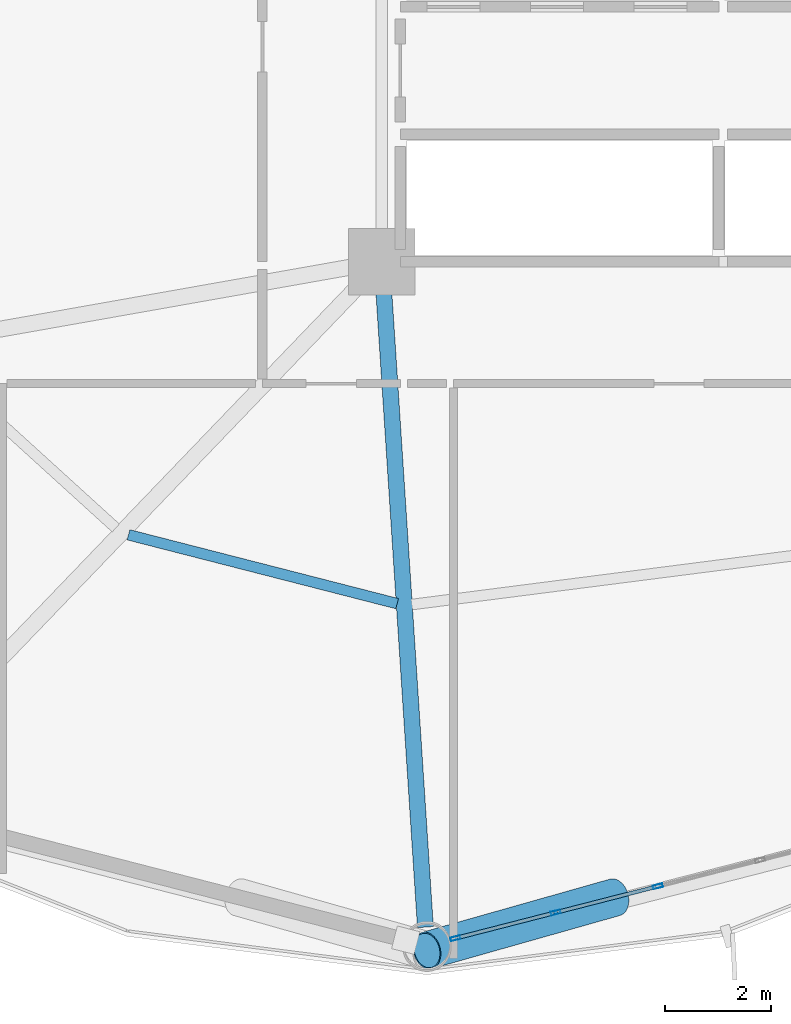
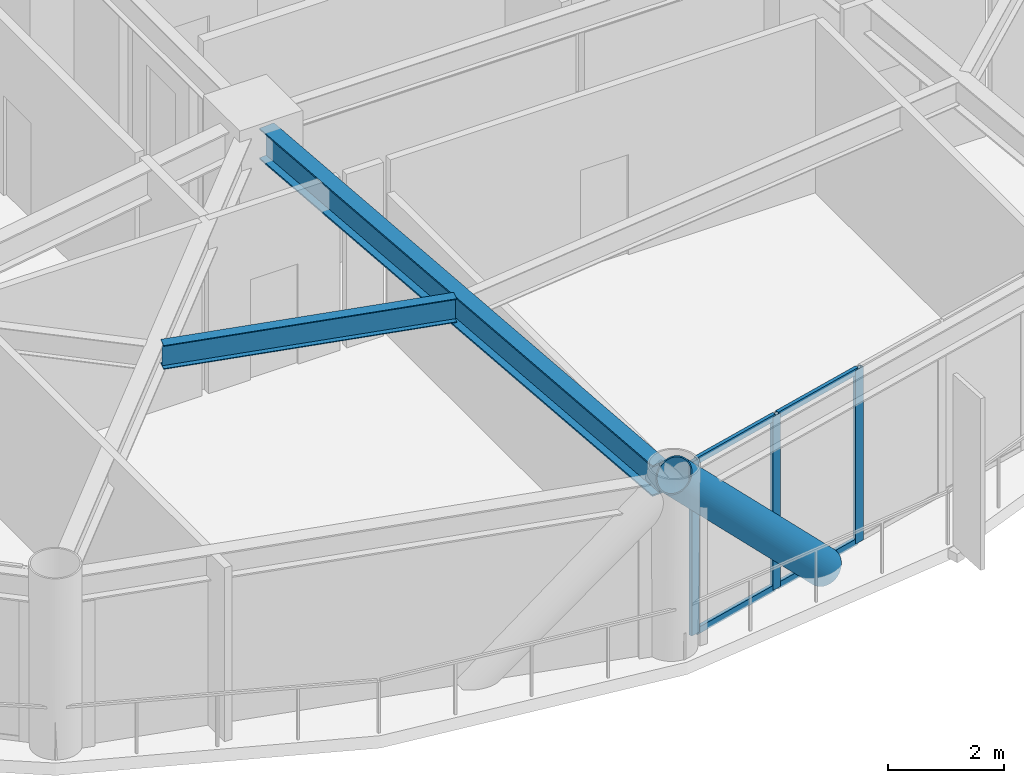
# One storey, part 6 of 25: 8 members, 2 beams, 1 element without a shape of its own.
"""IFC4 building model written with IfcOpenShell, lengths in metres."""

from ifc_helpers import new_model, si_unit, direction, frame, origin, origin_2d, place, context, subcontext, project, spatial, hollow_rectangle, hollow_circle, i_section, extrude, material, layer, layer_set, material_profile, profile_set, type_object, element, aggregate, save


model = new_model("IFC4")

# Units and contexts
model_context = context("Model", 3, precision=1e-05, world=origin(), true_north=direction((0.0, 1.0)))
body_context = subcontext(model_context, "Body", "Model", "MODEL_VIEW")
ifc_project = project(units=[si_unit("LENGTHUNIT", "METRE"), si_unit("AREAUNIT", "SQUARE_METRE"), si_unit("VOLUMEUNIT", "CUBIC_METRE"), si_unit("PLANEANGLEUNIT", "RADIAN"), si_unit("MASSUNIT", "GRAM", prefix="KILO")], contexts=[model_context])

# Site, building, storey
site_placement = place(None, origin())
site = spatial("IfcSite", under=ifc_project, at=site_placement, CompositionType="ELEMENT")
building_placement = place(site_placement, origin())
building = spatial("IfcBuilding", under=site, at=building_placement, Name="Varnakorn Sky Granary", CompositionType="ELEMENT")
storey_placement = place(building_placement, frame((0.0, 0.0, 58.800048828125)))
storey = spatial("IfcBuildingStorey", under=building, at=storey_placement, Name="L14", CompositionType="ELEMENT", Elevation=58.800048828125)

# Beams
ifc_material_1 = material(Name="Steel S355JR", Category="steel")
ifc_material_profile_1 = material_profile(ifc_material_1, i_section(OverallWidth=0.300048828125, OverallDepth=0.64990234375, WebThickness=0.01611328125, FlangeThickness=0.031005859375, at=origin_2d()), Name="HE 650 B")
ifc_profile_set_1 = profile_set([ifc_material_profile_1], Name="Steel S355JR")
beam_type_1 = type_object("IfcBeamType", Name="BM-RAD-Z1", PredefinedType="BEAM", material=ifc_profile_set_1)
beam_1_placement = place(storey_placement, frame((-2.322509765625, -7.01904296875, 3.31494140625), z_axis=(0.065331880635, -0.997863590564, 0.0), x_axis=(0.997863590564, 0.065331880635, 0.0)))
element("IfcBeam", 1, at=beam_1_placement, inside=storey, type_object=beam_type_1, Name="Radial Floor Girder RG10 L14", PredefinedType="BEAM", context=body_context, shape_type="SweptSolid", body=[
    extrude(i_section(OverallWidth=0.300048828125, OverallDepth=0.64990234375, WebThickness=0.01611328125, FlangeThickness=0.031005859375, at=origin_2d()), origin(), (0.0, 0.0, 1.0), 12.148681640625),
])
ifc_material_profile_2 = material_profile(ifc_material_1, i_section(OverallWidth=0.199951171875, OverallDepth=0.5, WebThickness=0.01025390625, FlangeThickness=0.01611328125, at=origin_2d()), Name="IPE 500")
ifc_profile_set_2 = profile_set([ifc_material_profile_2], Name="Steel S355JR")
beam_type_2 = type_object("IfcBeamType", Name="BM-SEC-Z1", PredefinedType="BEAM", material=ifc_profile_set_2)
beam_2_placement = place(storey_placement, frame((-7.12451171875, -11.748046875, 3.389892578125), z_axis=(0.968694114413, -0.248257351758, 0.0), x_axis=(0.248257351758, 0.968694114413, 0.0)))
element("IfcBeam", 2, at=beam_2_placement, inside=storey, type_object=beam_type_2, Name="Secondary Floor Chord Beam MSB09 L14", PredefinedType="BEAM", context=body_context, shape_type="SweptSolid", body=[
    extrude(i_section(OverallWidth=0.199951171875, OverallDepth=0.5, WebThickness=0.01025390625, FlangeThickness=0.01611328125, at=origin_2d()), origin(), (0.0, 0.0, 1.0), 5.226806640625),
])

# Curtain wall, members
ifc_material_2 = material(Name="Anodised Bronze Aluminium Alloy 6063-T6", Category="aluminium")
ifc_layer = layer(ifc_material_2, 0.18994140625, Name="Anodised Bronze Aluminium Alloy 6063-T6")
ifc_layer_set = layer_set([ifc_layer], Name="Anodised Bronze Aluminium Alloy 6063-T6")
curtain_wall_type = type_object("IfcCurtainWallType", Name="CW-FRM-1", PredefinedType="USERDEFINED", material=ifc_layer_set)
curtain_wall_placement = place(storey_placement, origin())
curtain_wall = element("IfcCurtainWall", 3, at=curtain_wall_placement, inside=storey, type_object=curtain_wall_type, Name="Unitised Curtain Wall CW3 CW-L14-B10", ObjectType="CURTAIN WALL", PredefinedType="USERDEFINED")
ifc_material_profile_3 = material_profile(ifc_material_2, hollow_rectangle(XDim=0.070068359375, YDim=0.18505859375, WallThickness=0.00390625, at=origin_2d()), Name="ALU MULL 70x185")
ifc_profile_set_3 = profile_set([ifc_material_profile_3], Name="Anodised Bronze Aluminium Alloy 6063-T6")
member_type_1 = type_object("IfcMemberType", Name="CW-FRM-1-MULL", PredefinedType="MULLION", material=ifc_profile_set_3)
member_1_placement = place(storey_placement, frame((2.850830078125, -18.373046875, 0.0), z_axis=(0.0, 0.0, 1.0), x_axis=(0.248656438193, -0.968591748749, 0.0)))
member_1 = element("IfcMember", 4, at=member_1_placement, type_object=member_type_1, Name="CW3 mullion 4", PredefinedType="MULLION", context=body_context, shape_type="SweptSolid", body=[
    extrude(hollow_rectangle(XDim=0.070068359375, YDim=0.18505859375, WallThickness=0.00390625, at=origin_2d()), origin(), (0.0, 0.0, 1.0), 3.639892578125),
])
member_2_placement = place(storey_placement, frame((0.92578125, -18.8671875, 0.0), z_axis=(0.0, 0.0, 1.0), x_axis=(0.248656438193, -0.968591748749, 0.0)))
member_2 = element("IfcMember", 5, at=member_2_placement, type_object=member_type_1, Name="CW3 mullion 5", PredefinedType="MULLION", context=body_context, shape_type="SweptSolid", body=[
    extrude(hollow_rectangle(XDim=0.070068359375, YDim=0.18505859375, WallThickness=0.00390625, at=origin_2d()), origin(), (0.0, 0.0, 1.0), 3.639892578125),
])
member_3_placement = place(storey_placement, frame((-0.96533203125, -19.352783203125, 0.0), z_axis=(0.0, 0.0, 1.0), x_axis=(0.248656438193, -0.968591748749, 0.0)))
member_3 = element("IfcMember", 6, at=member_3_placement, type_object=member_type_1, Name="CW3 mullion 6", PredefinedType="MULLION", context=body_context, shape_type="SweptSolid", body=[
    extrude(hollow_rectangle(XDim=0.070068359375, YDim=0.18505859375, WallThickness=0.00390625, at=origin_2d()), origin(), (0.0, 0.0, 1.0), 3.639892578125),
])
ifc_material_profile_4 = material_profile(ifc_material_2, hollow_rectangle(XDim=0.070068359375, YDim=0.139892578125, WallThickness=0.00341796875, at=origin_2d()), Name="ALU TRAN 70x140")
ifc_profile_set_4 = profile_set([ifc_material_profile_4], Name="Anodised Bronze Aluminium Alloy 6063-T6")
member_type_2 = type_object("IfcMemberType", Name="CW-FRM-1-TRAN", PredefinedType="USERDEFINED", material=ifc_profile_set_4)
member_4_placement = place(storey_placement, frame((2.81689453125, -18.3818359375, 0.034912109375), z_axis=(-0.968618289694, -0.248553030299, 0.0), x_axis=(0.248553030299, -0.968618289694, 0.0)))
member_4 = element("IfcMember", 7, at=member_4_placement, type_object=member_type_2, Name="CW3 transom 4.1", ObjectType="TRANSOM", PredefinedType="USERDEFINED", context=body_context, shape_type="SweptSolid", body=[
    extrude(hollow_rectangle(XDim=0.070068359375, YDim=0.139892578125, WallThickness=0.00341796875, at=origin_2d()), origin(), (0.0, 0.0, 1.0), 1.917236328125),
])
member_5_placement = place(storey_placement, frame((2.81689453125, -18.3818359375, 3.60498046875), z_axis=(-0.968618289694, -0.248553030299, 0.0), x_axis=(0.248553030299, -0.968618289694, 0.0)))
member_5 = element("IfcMember", 8, at=member_5_placement, type_object=member_type_2, Name="CW3 transom 4.2", ObjectType="TRANSOM", PredefinedType="USERDEFINED", context=body_context, shape_type="SweptSolid", body=[
    extrude(hollow_rectangle(XDim=0.070068359375, YDim=0.139892578125, WallThickness=0.00341796875, at=origin_2d()), origin(), (0.0, 0.0, 1.0), 1.917236328125),
])
member_6_placement = place(storey_placement, frame((0.891845703125, -18.8759765625, 0.034912109375), z_axis=(-0.968597421327, -0.248634340745, 0.0), x_axis=(0.248634340745, -0.968597421327, 0.0)))
member_6 = element("IfcMember", 9, at=member_6_placement, type_object=member_type_2, Name="CW3 transom 5.1", ObjectType="TRANSOM", PredefinedType="USERDEFINED", context=body_context, shape_type="SweptSolid", body=[
    extrude(hollow_rectangle(XDim=0.070068359375, YDim=0.139892578125, WallThickness=0.00341796875, at=origin_2d()), origin(), (0.0, 0.0, 1.0), 1.88232421875),
])
member_7_placement = place(storey_placement, frame((0.891845703125, -18.8759765625, 3.60498046875), z_axis=(-0.968597421327, -0.248634340745, 0.0), x_axis=(0.248634340745, -0.968597421327, 0.0)))
member_7 = element("IfcMember", 10, at=member_7_placement, type_object=member_type_2, Name="CW3 transom 5.2", ObjectType="TRANSOM", PredefinedType="USERDEFINED", context=body_context, shape_type="SweptSolid", body=[
    extrude(hollow_rectangle(XDim=0.070068359375, YDim=0.139892578125, WallThickness=0.00341796875, at=origin_2d()), origin(), (0.0, 0.0, 1.0), 1.88232421875),
])
aggregate(curtain_wall, [member_1, member_2, member_3, member_4, member_5, member_6, member_7])

# Member
ifc_material_3 = material(Name="Steel S460M", Category="steel")
ifc_material_profile_5 = material_profile(ifc_material_3, hollow_circle(Radius=0.35546875, WallThickness=0.02490234375, at=origin_2d()), Name="CHS 711x25")
ifc_profile_set_5 = profile_set([ifc_material_profile_5], Name="Steel S460M")
member_type_3 = type_object("IfcMemberType", Name="MB-DIAG-T0", PredefinedType="BRACE", material=ifc_profile_set_5)
member_8_placement = place(storey_placement, frame((2.042236328125, -18.58056640625, -0.130126953125), z_axis=(-0.672242192433, -0.190242362818, 0.715470668933), x_axis=(0.272302771362, -0.962211619504, 0.0)))
element("IfcMember", 11, at=member_8_placement, inside=storey, type_object=member_type_3, Name="Perimeter CHS Diagrid Brace DG10 L14", PredefinedType="BRACE", context=body_context, shape_type="SweptSolid", body=[
    extrude(hollow_circle(Radius=0.35546875, WallThickness=0.02490234375, at=origin_2d()), origin(), (0.0, 0.0, 1.0), 5.269287109375),
])

save(model, "model.ifc")
